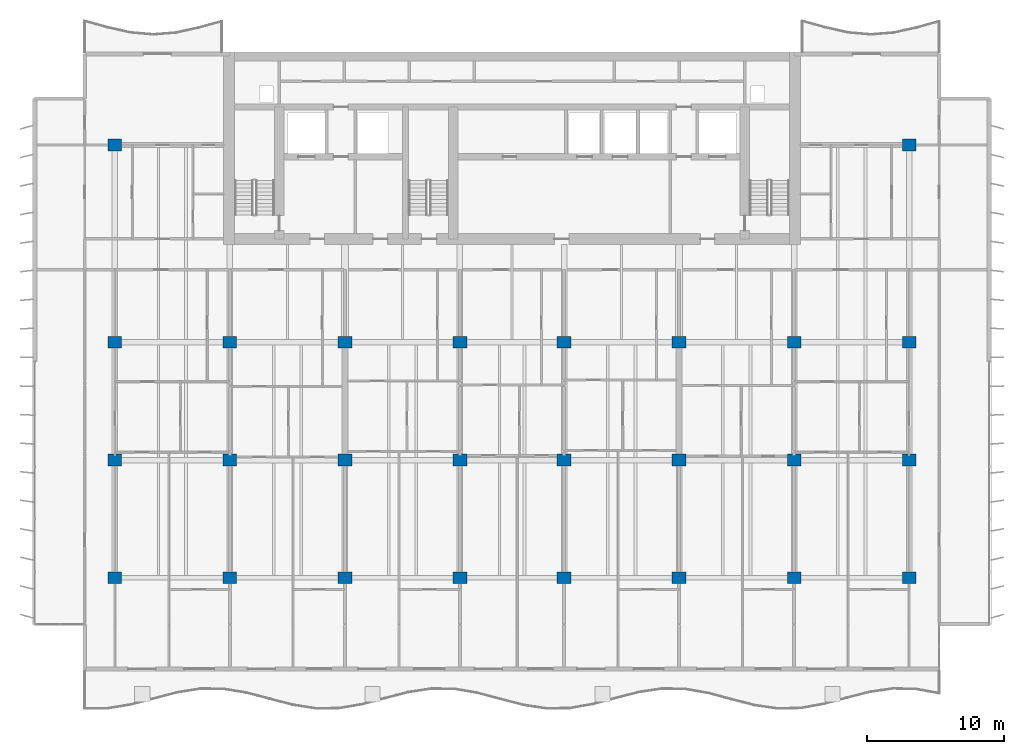
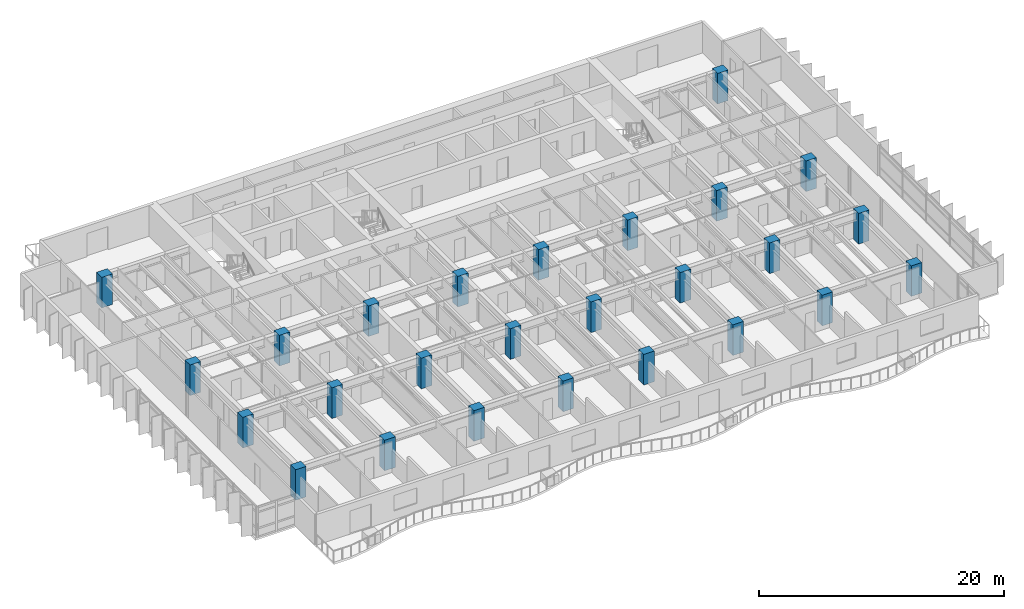
# One storey, part 1 of 18: 26 columns.
"""IFC4 building model written with IfcOpenShell, lengths in metres."""

from ifc_helpers import new_model, si_unit, direction, frame, origin, origin_2d, place, context, subcontext, project, spatial, rectangle, extrude, material, material_profile, profile_set, type_object, element, save


model = new_model("IFC4")

# Units and contexts
model_context = context("Model", 3, precision=1e-05, world=origin(), true_north=direction((0.0, 1.0)))
body_context = subcontext(model_context, "Body", "Model", "MODEL_VIEW")
ifc_project = project(units=[si_unit("LENGTHUNIT", "METRE"), si_unit("AREAUNIT", "SQUARE_METRE"), si_unit("VOLUMEUNIT", "CUBIC_METRE"), si_unit("PLANEANGLEUNIT", "RADIAN"), si_unit("MASSUNIT", "GRAM", prefix="KILO")], contexts=[model_context])

# Site, building, storey
site_placement = place(None, origin())
site = spatial("IfcSite", under=ifc_project, at=site_placement, CompositionType="ELEMENT")
building_placement = place(site_placement, origin())
building = spatial("IfcBuilding", under=site, at=building_placement, Name="Caelmar Bay Residences", CompositionType="ELEMENT")
storey_placement = place(building_placement, frame((0.0, 0.0, 129.0)))
storey = spatial("IfcBuildingStorey", under=building, at=storey_placement, Name="L35", CompositionType="ELEMENT", Elevation=129.0)

# Columns
ifc_material = material(Name="Concrete f'c 70 MPa (10,000 psi)", Category="concrete")
ifc_material_profile = material_profile(ifc_material, rectangle(XDim=1.0, YDim=0.85009765625, at=origin_2d()), Name="RC-COL-1000X850")
ifc_profile_set = profile_set([ifc_material_profile], Name="Concrete f'c 70 MPa (10,000 psi)")
column_type = type_object("IfcColumnType", Name="COL-RC-1000X850", PredefinedType="COLUMN", material=ifc_profile_set)
for number, where, z_axis, x_axis, name in (
    (1, (9.89990234375, 12.199951171875, 0.0), (0.0, 0.0, 1.0), (1.0, 0.0, 0.0), "L35 Column (9.90,12.20)"),
    (2, (18.300048828125, 12.199951171875, 0.0), (0.0, 0.0, 1.0), (1.0, 0.0, 0.0), "L35 Column (18.30,12.20)"),
    (3, (26.699951171875, 12.199951171875, 0.0), (0.0, 0.0, 1.0), (1.0, 0.0, 0.0), "L35 Column (26.70,12.20)"),
    (4, (35.10009765625, 12.199951171875, 0.0), (0.0, 0.0, 1.0), (1.0, 0.0, 0.0), "L35 Column (35.10,12.20)"),
    (5, (42.699951171875, 12.199951171875, 0.0), (0.0, 0.0, 1.0), (1.0, 0.0, 0.0), "L35 Column (42.70,12.20)"),
    (6, (51.10009765625, 12.199951171875, 0.0), (0.0, 0.0, 1.0), (1.0, 0.0, 0.0), "L35 Column (51.10,12.20)"),
    (7, (59.5, 12.199951171875, 0.0), (0.0, 0.0, 1.0), (1.0, 0.0, 0.0), "L35 Column (59.50,12.20)"),
    (8, (67.89990234375, 12.199951171875, 0.0), (0.0, 0.0, 1.0), (1.0, 0.0, 0.0), "L35 Column (67.90,12.20)"),
    (9, (9.89990234375, 20.800048828125, 0.0), (0.0, 0.0, 1.0), (1.0, 0.0, 0.0), "L35 Column (9.90,20.80)"),
    (10, (18.300048828125, 20.800048828125, 0.0), (0.0, 0.0, 1.0), (1.0, 0.0, 0.0), "L35 Column (18.30,20.80)"),
    (11, (26.699951171875, 20.800048828125, 0.0), (0.0, 0.0, 1.0), (1.0, 0.0, 0.0), "L35 Column (26.70,20.80)"),
    (12, (35.10009765625, 20.800048828125, 0.0), (0.0, 0.0, 1.0), (1.0, 0.0, 0.0), "L35 Column (35.10,20.80)"),
    (13, (42.699951171875, 20.800048828125, 0.0), (0.0, 0.0, 1.0), (1.0, 0.0, 0.0), "L35 Column (42.70,20.80)"),
    (14, (51.10009765625, 20.800048828125, 0.0), (0.0, 0.0, 1.0), (1.0, 0.0, 0.0), "L35 Column (51.10,20.80)"),
    (15, (59.5, 20.800048828125, 0.0), (0.0, 0.0, 1.0), (1.0, 0.0, 0.0), "L35 Column (59.50,20.80)"),
    (16, (67.89990234375, 20.800048828125, 0.0), (0.0, 0.0, 1.0), (1.0, 0.0, 0.0), "L35 Column (67.90,20.80)"),
    (17, (9.89990234375, 29.39990234375, 0.0), (0.0, 0.0, 1.0), (1.0, 0.0, 0.0), "L35 Column (9.90,29.40)"),
    (18, (18.300048828125, 29.39990234375, 0.0), (0.0, 0.0, 1.0), (1.0, 0.0, 0.0), "L35 Column (18.30,29.40)"),
    (19, (26.699951171875, 29.39990234375, 0.0), (0.0, 0.0, 1.0), (1.0, 0.0, 0.0), "L35 Column (26.70,29.40)"),
    (20, (35.10009765625, 29.39990234375, 0.0), (0.0, 0.0, 1.0), (1.0, 0.0, 0.0), "L35 Column (35.10,29.40)"),
    (21, (42.699951171875, 29.39990234375, 0.0), (0.0, 0.0, 1.0), (1.0, 0.0, 0.0), "L35 Column (42.70,29.40)"),
    (22, (51.10009765625, 29.39990234375, 0.0), (0.0, 0.0, 1.0), (1.0, 0.0, 0.0), "L35 Column (51.10,29.40)"),
    (23, (59.5, 29.39990234375, 0.0), (0.0, 0.0, 1.0), (1.0, 0.0, 0.0), "L35 Column (59.50,29.40)"),
    (24, (67.89990234375, 29.39990234375, 0.0), (0.0, 0.0, 1.0), (1.0, 0.0, 0.0), "L35 Column (67.90,29.40)"),
    (25, (9.89990234375, 43.800048828125, 0.0), (0.0, 0.0, 1.0), (1.0, 0.0, 0.0), "L35 Column (9.90,43.80)"),
    (26, (67.89990234375, 43.800048828125, 0.0), (0.0, 0.0, 1.0), (1.0, 0.0, 0.0), "L35 Column (67.90,43.80)"),
):
    element("IfcColumn", number, at=place(storey_placement, frame(where, z_axis=z_axis, x_axis=x_axis)), inside=storey, type_object=column_type, Name=name, PredefinedType="COLUMN", context=body_context, shape_type="SweptSolid", body=[
        extrude(rectangle(XDim=1.0, YDim=0.85009765625, at=origin_2d()), origin(), (0.0, 0.0, 1.0), 3.050048828125),
    ])

save(model, "model.ifc")
